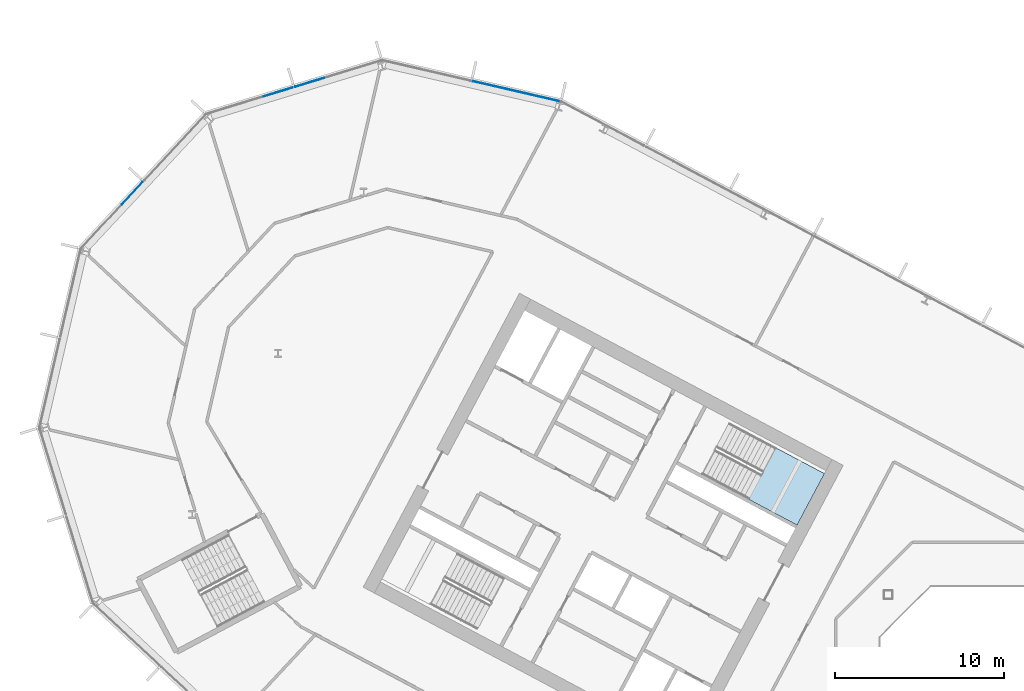
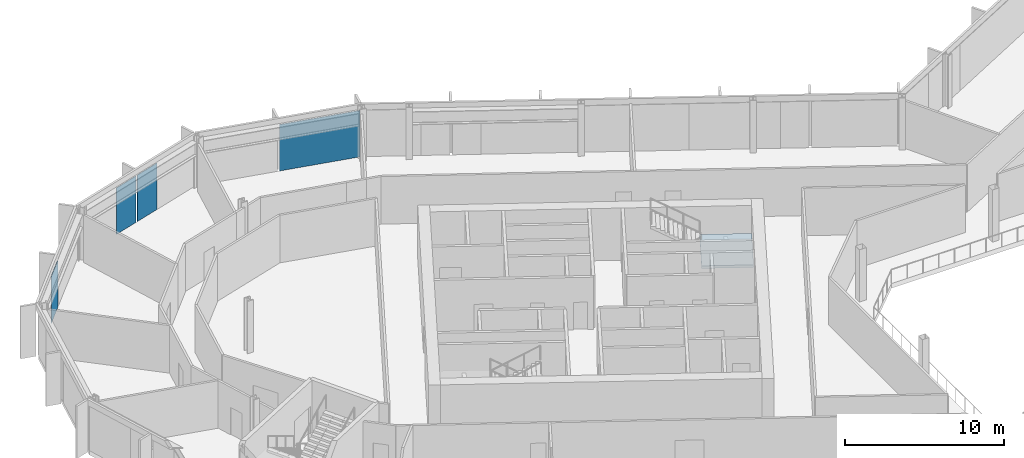
# One storey, part 11 of 28: 4 plates, 1 slab, 4 elements without a shape of their own.
"""IFC4 building model written with IfcOpenShell, lengths in metres."""

from ifc_helpers import new_model, si_unit, direction, frame, origin, origin_2d, place, context, subcontext, project, spatial, polyline, rectangle, outline, extrude, material, layer, layer_set, type_object, element, aggregate, save


model = new_model("IFC4")

# Units and contexts
model_context = context("Model", 3, precision=1e-05, world=origin(), true_north=direction((0.0, 1.0)))
body_context = subcontext(model_context, "Body", "Model", "MODEL_VIEW")
ifc_project = project(units=[si_unit("LENGTHUNIT", "METRE"), si_unit("AREAUNIT", "SQUARE_METRE"), si_unit("VOLUMEUNIT", "CUBIC_METRE"), si_unit("PLANEANGLEUNIT", "RADIAN"), si_unit("MASSUNIT", "GRAM", prefix="KILO")], contexts=[model_context])

# Site, building, storey
site_placement = place(None, origin())
site = spatial("IfcSite", under=ifc_project, at=site_placement, CompositionType="ELEMENT")
building_placement = place(site_placement, origin())
building = spatial("IfcBuilding", under=site, at=building_placement, Name="Cormorant Relay Tower", CompositionType="ELEMENT")
storey_placement = place(building_placement, frame((0.0, 0.0, 146.199951171875)))
storey = spatial("IfcBuildingStorey", under=building, at=storey_placement, Name="L30", CompositionType="ELEMENT", Elevation=146.199951171875)

# Curtain wall, plates
ifc_material_1 = material(Name="Aluminium 6063-T6 anodised bronze", Category="aluminium")
ifc_layer_1 = layer(ifc_material_1, 0.199951171875)
ifc_layer_set_1 = layer_set([ifc_layer_1], Name="CW1 unitised bronze curtain wall with vertical fins")
curtain_wall_type = type_object("IfcCurtainWallType", Name="CW1 unitised bronze curtain wall with vertical fins", PredefinedType="NOTDEFINED", material=ifc_layer_set_1)
curtain_wall_1_placement = place(storey_placement, origin())
curtain_wall_1 = element("IfcCurtainWall", 1, at=curtain_wall_1_placement, inside=storey, type_object=curtain_wall_type, Name="CW1 curtain wall 11", PredefinedType="NOTDEFINED")
ifc_material_2 = material(Name="Tinted laminated glass", Category="glass")
ifc_layer_2 = layer(ifc_material_2, 0.0400390625)
ifc_layer_set_2 = layer_set([ifc_layer_2], Name="CW1 tinted vision panel 1800 module")
plate_type_1 = type_object("IfcPlateType", Name="CW1 tinted vision panel 1800 module", PredefinedType="CURTAIN_PANEL", material=ifc_layer_set_2)
plate_1_placement = place(storey_placement, frame((-44.73681640625, 40.82861328125, 0.0), z_axis=(0.0, 0.0, 1.0), x_axis=(-0.956304755963, -0.292371704723, 0.0)))
plate_1 = element("IfcPlate", 2, at=plate_1_placement, type_object=plate_type_1, Name="CW1 panel V01", PredefinedType="CURTAIN_PANEL", context=body_context, shape_type="SweptSolid", body=[
    extrude(rectangle(XDim=1.800048828125, YDim=0.0400390625, at=origin_2d()), origin(), (0.0, 0.0, 1.0), 3.550048828125),
])
plate_2_placement = place(storey_placement, frame((-46.6015625, 40.25830078125, 0.0), z_axis=(0.0, 0.0, 1.0), x_axis=(-0.956304755963, -0.292371704723, 0.0)))
plate_2 = element("IfcPlate", 3, at=plate_2_placement, type_object=plate_type_1, Name="CW1 panel V02", PredefinedType="CURTAIN_PANEL", context=body_context, shape_type="SweptSolid", body=[
    extrude(rectangle(XDim=1.800048828125, YDim=0.0400390625, at=origin_2d()), origin(), (0.0, 0.0, 1.0), 3.550048828125),
])
aggregate(curtain_wall_1, [plate_1, plate_2])

# Curtain wall, plate
curtain_wall_2_placement = place(storey_placement, origin())
curtain_wall_2 = element("IfcCurtainWall", 4, at=curtain_wall_2_placement, inside=storey, type_object=curtain_wall_type, Name="CW1 curtain wall 12", PredefinedType="NOTDEFINED")
plate_3_placement = place(storey_placement, frame((-55.247314453125, 34.2607421875, 0.0), z_axis=(0.0, 0.0, 1.0), x_axis=(-0.681998360062, -0.731353701619, 0.0)))
plate_3 = element("IfcPlate", 5, at=plate_3_placement, type_object=plate_type_1, Name="CW1 panel V01", PredefinedType="CURTAIN_PANEL", context=body_context, shape_type="SweptSolid", body=[
    extrude(rectangle(XDim=1.800048828125, YDim=0.0400390625, at=origin_2d()), origin(), (0.0, 0.0, 1.0), 3.550048828125),
])
aggregate(curtain_wall_2, [plate_3])

curtain_wall_3_placement = place(storey_placement, origin())
curtain_wall_3 = element("IfcCurtainWall", 6, at=curtain_wall_3_placement, inside=storey, type_object=curtain_wall_type, Name="CW1 curtain wall 10", PredefinedType="NOTDEFINED")
ifc_material_3 = material(Name="Tinted laminated glass", Category="glass")
ifc_layer_3 = layer(ifc_material_3, 0.0400390625)
ifc_layer_set_3 = layer_set([ifc_layer_3], Name="CW1 tinted vision panel 5400 module")
plate_type_2 = type_object("IfcPlateType", Name="CW1 tinted vision panel 5400 module", PredefinedType="CURTAIN_PANEL", material=ifc_layer_set_3)
plate_4_placement = place(storey_placement, frame((-32.51708984375, 40.298828125, 0.0), z_axis=(0.0, 0.0, 1.0), x_axis=(-0.974370064785, 0.224951054344, 0.0)))
plate_4 = element("IfcPlate", 7, at=plate_4_placement, type_object=plate_type_2, Name="CW1 panel V00", PredefinedType="CURTAIN_PANEL", context=body_context, shape_type="SweptSolid", body=[
    extrude(rectangle(XDim=5.28515625, YDim=0.0400390625, at=origin_2d()), origin(), (0.0, 0.0, 1.0), 3.550048828125),
])
aggregate(curtain_wall_3, [plate_4])

# Stair, slab
ifc_material_4 = material(Name="Concrete 40 MPa", Category="concrete")
stair_type = type_object("IfcStairType", Name="Exit stair 1500", PredefinedType="HALF_TURN_STAIR", material=ifc_material_4)
stair_placement = place(storey_placement, origin())
stair = element("IfcStair", 8, at=stair_placement, inside=storey, type_object=stair_type, Name="L30 Stair", PredefinedType="HALF_TURN_STAIR")
ifc_material_5 = material(Name="Concrete 40 MPa", Category="concrete")
ifc_layer_4 = layer(ifc_material_5, 0.199951171875)
ifc_layer_set_4 = layer_set([ifc_layer_4], Name="Exit stair landing 200")
slab_type = type_object("IfcSlabType", Name="Exit stair landing 200", PredefinedType="LANDING", material=ifc_layer_set_4)
slab_placement = place(storey_placement, frame((0.0, 0.0, 1.800048828125)))
slab = element("IfcSlab", 9, at=slab_placement, type_object=slab_type, Name="A1 landing 1", PredefinedType="LANDING", context=body_context, shape_type="SweptSolid", body=[
    extrude(outline(polyline([(-18.7822265625, 16.1591796875), (-15.89501953125, 14.6240234375), (-14.275390625, 17.670166015625), (-17.16259765625, 19.205322265625), (-18.7822265625, 16.1591796875)])), origin(), (0.0, 0.0, 1.0), 0.199951171875),
])
aggregate(stair, [slab])

save(model, "model.ifc")
